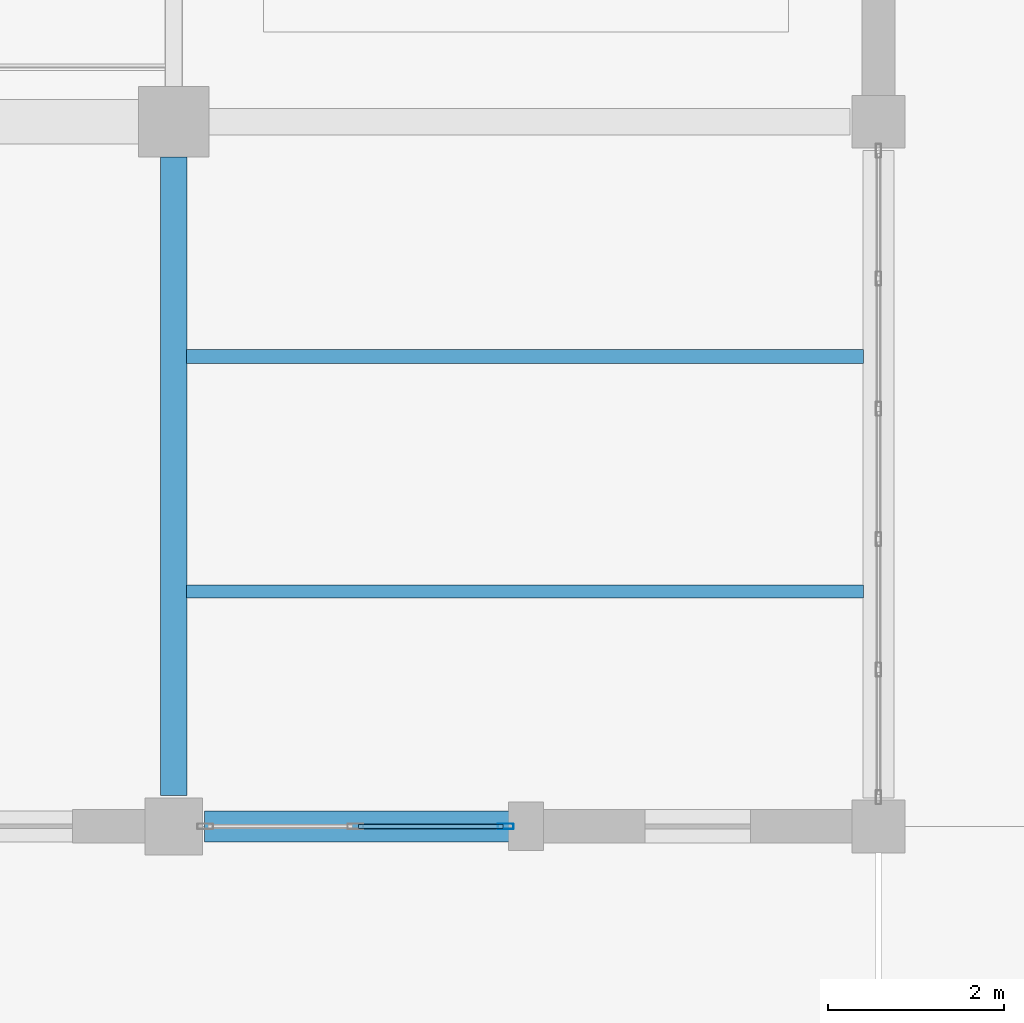
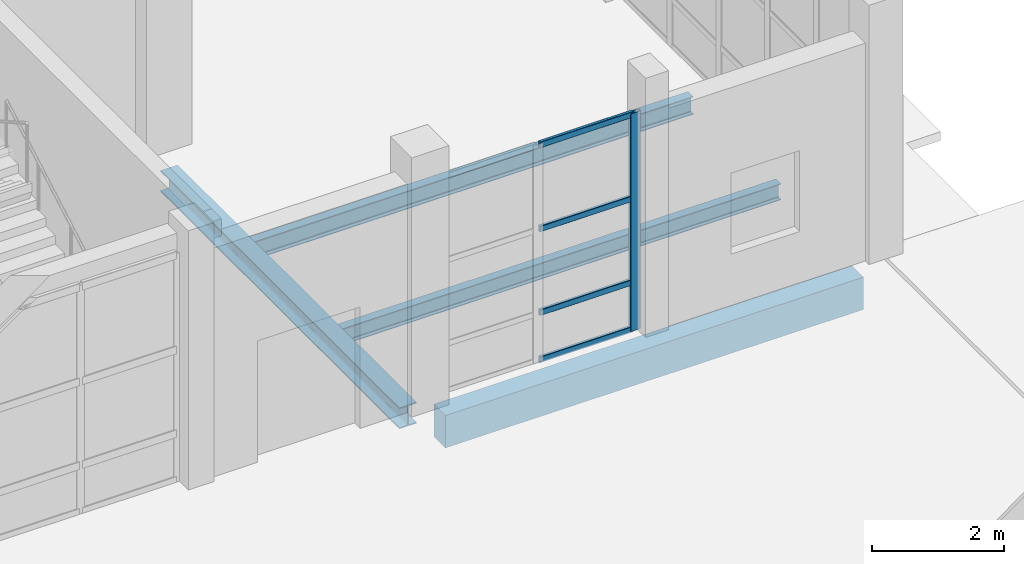
# One storey, part 36 of 156: 5 members, 4 beams, 1 element without a shape of its own.
"""IFC4 building model written with IfcOpenShell, lengths in metres."""

from ifc_helpers import new_model, si_unit, direction, frame, origin, origin_2d, place, context, subcontext, project, spatial, rectangle, hollow_rectangle, i_section, extrude, material, material_profile, profile_set, type_object, element, aggregate, save


model = new_model("IFC4")

# Units and contexts
model_context = context("Model", 3, precision=1e-05, world=origin(), true_north=direction((0.0, 1.0)))
body_context = subcontext(model_context, "Body", "Model", "MODEL_VIEW")
ifc_project = project(units=[si_unit("LENGTHUNIT", "METRE"), si_unit("AREAUNIT", "SQUARE_METRE"), si_unit("VOLUMEUNIT", "CUBIC_METRE"), si_unit("PLANEANGLEUNIT", "RADIAN"), si_unit("MASSUNIT", "GRAM", prefix="KILO")], contexts=[model_context])

# Site, building, storey
site_placement = place(None, origin())
site = spatial("IfcSite", under=ifc_project, at=site_placement, CompositionType="ELEMENT")
building_placement = place(site_placement, origin())
building = spatial("IfcBuilding", under=site, at=building_placement, Name="Luwemba Playhouse", CompositionType="ELEMENT")
storey_placement = place(building_placement, origin())
storey = spatial("IfcBuildingStorey", under=building, at=storey_placement, Name="L00", CompositionType="ELEMENT", Elevation=0.0)

# Beams
ifc_material_1 = material(Name="Steel S355", Category="steel")
ifc_material_profile_1 = material_profile(ifc_material_1, i_section(OverallWidth=0.300048828125, OverallDepth=0.389892578125, WebThickness=0.010986328125, FlangeThickness=0.01904296875, FilletRadius=0.027099609375, at=origin_2d()))
ifc_profile_set_1 = profile_set([ifc_material_profile_1], Name="Steel S355")
beam_type_1 = type_object("IfcBeamType", Name="BM-SB05", PredefinedType="BEAM", material=ifc_profile_set_1)
beam_1_placement = place(storey_placement, frame((44.0, 36.35009765625, -0.4951171875), z_axis=(0.0, 1.0, 0.0), x_axis=(-1.0, 0.0, 0.0)))
element("IfcBeam", 1, at=beam_1_placement, inside=storey, type_object=beam_type_1, Name="L00 transverse girder 0033", PredefinedType="BEAM", context=body_context, shape_type="SweptSolid", body=[
    extrude(i_section(OverallWidth=0.300048828125, OverallDepth=0.389892578125, WebThickness=0.010986328125, FlangeThickness=0.01904296875, FilletRadius=0.027099609375, at=origin_2d()), origin(), (0.0, 0.0, 1.0), 7.25),
])
ifc_material_profile_2 = material_profile(ifc_material_1, i_section(OverallWidth=0.14990234375, OverallDepth=0.300048828125, WebThickness=0.007080078125, FlangeThickness=0.0107421875, FilletRadius=0.014892578125, at=origin_2d()))
ifc_profile_set_2 = profile_set([ifc_material_profile_2], Name="Steel S355")
beam_type_2 = type_object("IfcBeamType", Name="BM-SJ05", PredefinedType="JOIST", material=ifc_profile_set_2)
beam_2_placement = place(storey_placement, frame((44.14599609375, 38.666748046875, -0.449951171875), z_axis=(1.0, 0.0, 0.0), x_axis=(0.0, 1.0, 0.0)))
element("IfcBeam", 2, at=beam_2_placement, inside=storey, type_object=beam_type_2, Name="L00 composite floor joist 0037", PredefinedType="JOIST", context=body_context, shape_type="SweptSolid", body=[
    extrude(i_section(OverallWidth=0.14990234375, OverallDepth=0.300048828125, WebThickness=0.007080078125, FlangeThickness=0.0107421875, FilletRadius=0.014892578125, at=origin_2d()), origin(), (0.0, 0.0, 1.0), 7.68310546875),
])
ifc_material_profile_3 = material_profile(ifc_material_1, i_section(OverallWidth=0.159912109375, OverallDepth=0.330078125, WebThickness=0.007568359375, FlangeThickness=0.011474609375, FilletRadius=0.01806640625, at=origin_2d()))
ifc_profile_set_3 = profile_set([ifc_material_profile_3], Name="Steel S355")
beam_type_3 = type_object("IfcBeamType", Name="BM-SJ06", PredefinedType="JOIST", material=ifc_profile_set_3)
beam_3_placement = place(storey_placement, frame((44.14599609375, 41.333251953125, -0.465087890625), z_axis=(1.0, 0.0, 0.0), x_axis=(0.0, 1.0, 0.0)))
element("IfcBeam", 3, at=beam_3_placement, inside=storey, type_object=beam_type_3, Name="L00 composite floor joist 0038", PredefinedType="JOIST", context=body_context, shape_type="SweptSolid", body=[
    extrude(i_section(OverallWidth=0.159912109375, OverallDepth=0.330078125, WebThickness=0.007568359375, FlangeThickness=0.011474609375, FilletRadius=0.01806640625, at=origin_2d()), origin(), (0.0, 0.0, 1.0), 7.68310546875),
])
ifc_material_2 = material(Name="Concrete C40/50", Category="concrete")
ifc_material_profile_4 = material_profile(ifc_material_2, rectangle(XDim=0.35009765625, YDim=0.60009765625, at=origin_2d()))
ifc_profile_set_4 = profile_set([ifc_material_profile_4], Name="Concrete C40/50")
beam_type_4 = type_object("IfcBeamType", Name="BM-SP3", PredefinedType="SPANDREL", material=ifc_profile_set_4)
beam_4_placement = place(storey_placement, frame((44.35009765625, 36.0, -0.60009765625), z_axis=(1.0, 0.0, 0.0), x_axis=(0.0, 1.0, 0.0)))
element("IfcBeam", 4, at=beam_4_placement, inside=storey, type_object=beam_type_4, Name="L00 grid girder 0006", PredefinedType="SPANDREL", context=body_context, shape_type="SweptSolid", body=[
    extrude(rectangle(XDim=0.35009765625, YDim=0.60009765625, at=origin_2d()), origin(), (0.0, 0.0, 1.0), 7.324951171875),
])

# Curtain wall, members
ifc_material_3 = material(Name="Solar-control double glazing", Category="glass")
curtain_wall_type = type_object("IfcCurtainWallType", Name="CW-CW08", PredefinedType="USERDEFINED", material=ifc_material_3)
curtain_wall_placement = place(storey_placement, origin())
curtain_wall = element("IfcCurtainWall", 5, at=curtain_wall_placement, inside=storey, type_object=curtain_wall_type, Name="L00 V1 unitised curtain wall 008", ObjectType="UNITISED GLAZING", PredefinedType="USERDEFINED")
ifc_material_4 = material(Name="Aluminium 6063-T6", Category="aluminium")
ifc_material_profile_5 = material_profile(ifc_material_4, hollow_rectangle(XDim=0.06494140625, YDim=0.179931640625, WallThickness=0.00439453125, InnerFilletRadius=0.0068359375, OuterFilletRadius=0.01123046875, at=origin_2d()))
ifc_profile_set_5 = profile_set([ifc_material_profile_5], Name="Aluminium 6063-T6")
member_type_1 = type_object("IfcMemberType", Name="CWM-M2", PredefinedType="MULLION", material=ifc_profile_set_5)
member_1_placement = place(storey_placement, frame((47.767578125, 36.0, 0.0), z_axis=(0.0, 0.0, 1.0), x_axis=(0.0, -1.0, 0.0)))
member_1 = element("IfcMember", 6, at=member_1_placement, type_object=member_type_1, Name="CW08 mullion 1", PredefinedType="MULLION", context=body_context, shape_type="SweptSolid", body=[
    extrude(hollow_rectangle(XDim=0.06494140625, YDim=0.179931640625, WallThickness=0.00439453125, InnerFilletRadius=0.0068359375, OuterFilletRadius=0.01123046875, at=origin_2d()), origin(), (0.0, 0.0, 1.0), 4.034912109375),
])
ifc_material_profile_6 = material_profile(ifc_material_4, hollow_rectangle(XDim=0.054931640625, YDim=0.110107421875, WallThickness=0.00341796875, InnerFilletRadius=0.00537109375, OuterFilletRadius=0.0087890625, at=origin_2d()))
ifc_profile_set_6 = profile_set([ifc_material_profile_6], Name="Aluminium 6063-T6")
member_type_2 = type_object("IfcMemberType", Name="CWT-T2", PredefinedType="USERDEFINED", material=ifc_profile_set_6)
member_2_placement = place(storey_placement, frame((47.735107421875, 36.0, 0.027587890625), z_axis=(-1.0, 0.0, 0.0), x_axis=(0.0, -1.0, 0.0)))
member_2 = element("IfcMember", 7, at=member_2_placement, type_object=member_type_2, Name="CW08 transom 1.1", ObjectType="TRANSOM", PredefinedType="USERDEFINED", context=body_context, shape_type="SweptSolid", body=[
    extrude(hollow_rectangle(XDim=0.054931640625, YDim=0.110107421875, WallThickness=0.00341796875, InnerFilletRadius=0.00537109375, OuterFilletRadius=0.0087890625, at=origin_2d()), origin(), (0.0, 0.0, 1.0), 1.64013671875),
])
member_3_placement = place(storey_placement, frame((47.735107421875, 36.0, 0.89990234375), z_axis=(-1.0, 0.0, 0.0), x_axis=(0.0, -1.0, 0.0)))
member_3 = element("IfcMember", 8, at=member_3_placement, type_object=member_type_2, Name="CW08 transom 1.2", ObjectType="TRANSOM", PredefinedType="USERDEFINED", context=body_context, shape_type="SweptSolid", body=[
    extrude(hollow_rectangle(XDim=0.054931640625, YDim=0.110107421875, WallThickness=0.00341796875, InnerFilletRadius=0.00537109375, OuterFilletRadius=0.0087890625, at=origin_2d()), origin(), (0.0, 0.0, 1.0), 1.64013671875),
])
member_4_placement = place(storey_placement, frame((47.735107421875, 36.0, 2.449951171875), z_axis=(-1.0, 0.0, 0.0), x_axis=(0.0, -1.0, 0.0)))
member_4 = element("IfcMember", 9, at=member_4_placement, type_object=member_type_2, Name="CW08 transom 1.3", ObjectType="TRANSOM", PredefinedType="USERDEFINED", context=body_context, shape_type="SweptSolid", body=[
    extrude(hollow_rectangle(XDim=0.054931640625, YDim=0.110107421875, WallThickness=0.00341796875, InnerFilletRadius=0.00537109375, OuterFilletRadius=0.0087890625, at=origin_2d()), origin(), (0.0, 0.0, 1.0), 1.64013671875),
])
member_5_placement = place(storey_placement, frame((47.735107421875, 36.0, 4.007568359375), z_axis=(-1.0, 0.0, 0.0), x_axis=(0.0, -1.0, 0.0)))
member_5 = element("IfcMember", 10, at=member_5_placement, type_object=member_type_2, Name="CW08 transom 1.4", ObjectType="TRANSOM", PredefinedType="USERDEFINED", context=body_context, shape_type="SweptSolid", body=[
    extrude(hollow_rectangle(XDim=0.054931640625, YDim=0.110107421875, WallThickness=0.00341796875, InnerFilletRadius=0.00537109375, OuterFilletRadius=0.0087890625, at=origin_2d()), origin(), (0.0, 0.0, 1.0), 1.64013671875),
])
aggregate(curtain_wall, [member_1, member_2, member_3, member_4, member_5])

save(model, "model.ifc")
